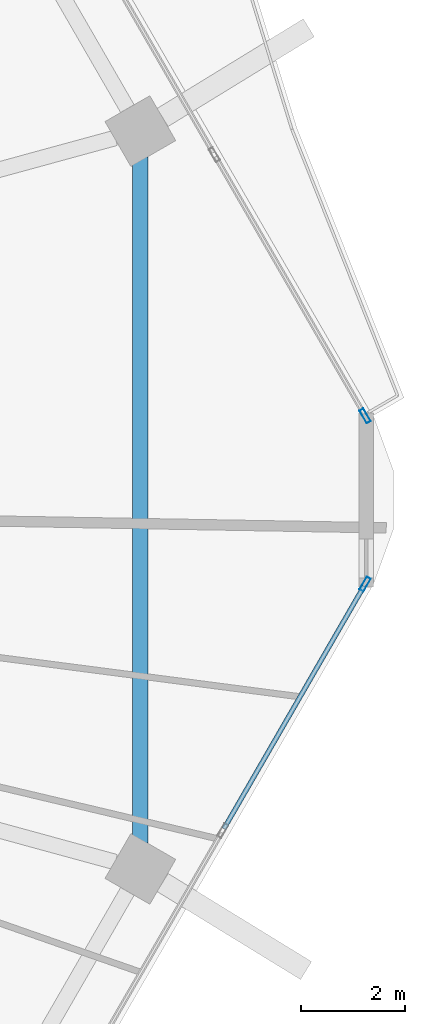
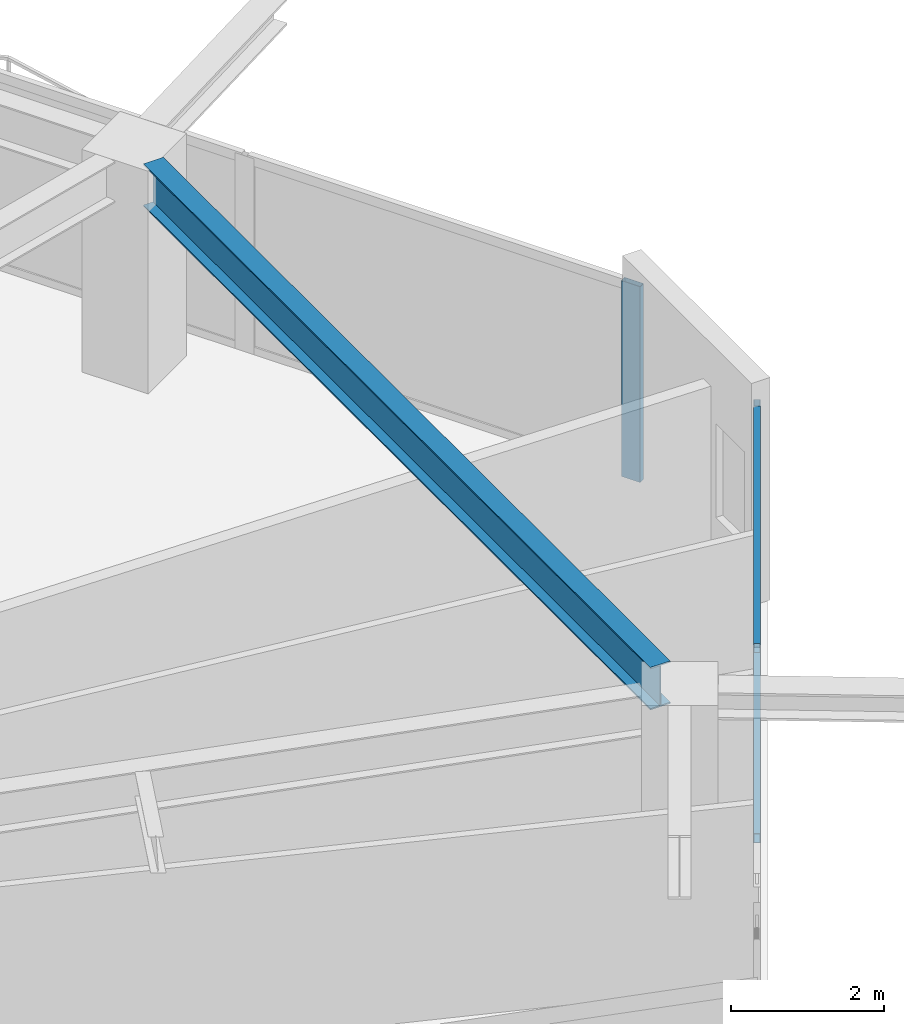
# One storey, part 9 of 25: 4 members, 1 beam, 2 elements without a shape of their own.
"""IFC4 building model written with IfcOpenShell, lengths in metres."""

from ifc_helpers import new_model, si_unit, direction, frame, origin, origin_2d, place, context, subcontext, project, spatial, hollow_rectangle, i_section, extrude, material, material_profile, profile_set, type_object, element, aggregate, save


model = new_model("IFC4")

# Units and contexts
model_context = context("Model", 3, precision=1e-05, world=origin(), true_north=direction((0.0, 1.0)))
body_context = subcontext(model_context, "Body", "Model", "MODEL_VIEW")
ifc_project = project(units=[si_unit("LENGTHUNIT", "METRE"), si_unit("AREAUNIT", "SQUARE_METRE"), si_unit("VOLUMEUNIT", "CUBIC_METRE"), si_unit("PLANEANGLEUNIT", "RADIAN"), si_unit("MASSUNIT", "GRAM", prefix="KILO")], contexts=[model_context])

# Site, building, storey
site_placement = place(None, origin())
site = spatial("IfcSite", under=ifc_project, at=site_placement, CompositionType="ELEMENT")
building_placement = place(site_placement, origin())
building = spatial("IfcBuilding", under=site, at=building_placement, Name="Zuhravey Tower", CompositionType="ELEMENT")
storey_placement = place(building_placement, frame((0.0, 0.0, 180.800048828125)))
storey = spatial("IfcBuildingStorey", under=building, at=storey_placement, Name="L45", CompositionType="ELEMENT", Elevation=180.800048828125)

# Curtain wall, member
ifc_material_1 = material(Name="Thermally broken anodised aluminium", Category="aluminium")
curtain_wall_type = type_object("IfcCurtainWallType", Name="Zone 1-2 Residential Curtain Wall CW3", PredefinedType="NOTDEFINED", material=ifc_material_1)
curtain_wall_1_placement = place(storey_placement, origin())
curtain_wall_1 = element("IfcCurtainWall", 1, at=curtain_wall_1_placement, inside=storey, type_object=curtain_wall_type, Name="L45 CW3 CW-L45-F6-1", PredefinedType="NOTDEFINED")
ifc_material_2 = material(Name="Anodised aluminium", Category="aluminium")
ifc_material_profile_1 = material_profile(ifc_material_2, hollow_rectangle(XDim=0.090087890625, YDim=0.284912109375, WallThickness=0.0048828125, at=origin_2d()), Name="ALU-RHS-90x285x5")
ifc_profile_set_1 = profile_set([ifc_material_profile_1], Name="Anodised aluminium")
member_type_1 = type_object("IfcMemberType", Name="Curtain-Wall Mullion 90x180", PredefinedType="MULLION", material=ifc_profile_set_1)
member_1_placement = place(storey_placement, frame((66.44921875, 30.37353515625, 0.0), z_axis=(0.0, 0.0, 1.0), x_axis=(0.866025138215, -0.500000459979, 0.0)))
member_1 = element("IfcMember", 2, at=member_1_placement, type_object=member_type_1, Name="CW3 mullion 1", PredefinedType="MULLION", context=body_context, shape_type="SweptSolid", body=[
    extrude(hollow_rectangle(XDim=0.090087890625, YDim=0.284912109375, WallThickness=0.0048828125, at=origin_2d()), origin(), (0.0, 0.0, 1.0), 3.1220703125),
])

curtain_wall_2_placement = place(storey_placement, origin())
curtain_wall_2 = element("IfcCurtainWall", 3, at=curtain_wall_2_placement, inside=storey, type_object=curtain_wall_type, Name="L45 CW3 CW-L45-F1-2", PredefinedType="NOTDEFINED")
member_2_placement = place(storey_placement, frame((66.44921875, 33.62646484375, 0.0), z_axis=(0.0, 0.0, 1.0), x_axis=(0.866024798294, 0.500001048738, 0.0)))
member_2 = element("IfcMember", 4, at=member_2_placement, type_object=member_type_1, Name="CW3 mullion 5", PredefinedType="MULLION", context=body_context, shape_type="SweptSolid", body=[
    extrude(hollow_rectangle(XDim=0.090087890625, YDim=0.284912109375, WallThickness=0.0048828125, at=origin_2d()), origin(), (0.0, 0.0, 1.0), 3.1220703125),
])
aggregate(curtain_wall_2, [member_2])

# Member
ifc_material_profile_2 = material_profile(ifc_material_2, hollow_rectangle(XDim=0.090087890625, YDim=0.14990234375, WallThickness=0.0048828125, at=origin_2d()), Name="ALU-RHS-90x150x5")
ifc_profile_set_2 = profile_set([ifc_material_profile_2], Name="Anodised aluminium")
member_type_2 = type_object("IfcMemberType", Name="Curtain-Wall Transom 90x150", PredefinedType="USERDEFINED", material=ifc_profile_set_2)
member_3_placement = place(storey_placement, frame((66.4267578125, 30.33447265625, 0.044921875), z_axis=(-0.499993332629, -0.866029253159, 0.0), x_axis=(0.866029253159, -0.499993332629, 0.0)))
member_3 = element("IfcMember", 5, at=member_3_placement, type_object=member_type_2, Name="CW3 transom 1.1", ObjectType="TRANSOM", PredefinedType="USERDEFINED", context=body_context, shape_type="SweptSolid", body=[
    extrude(hollow_rectangle(XDim=0.090087890625, YDim=0.14990234375, WallThickness=0.0048828125, at=origin_2d()), origin(), (0.0, 0.0, 1.0), 5.4091796875),
])

member_4_placement = place(storey_placement, frame((66.4267578125, 30.33447265625, 3.076904296875), z_axis=(-0.499993332629, -0.866029253159, 0.0), x_axis=(0.866029253159, -0.499993332629, 0.0)))
member_4 = element("IfcMember", 6, at=member_4_placement, type_object=member_type_2, Name="CW3 transom 1.2", ObjectType="TRANSOM", PredefinedType="USERDEFINED", context=body_context, shape_type="SweptSolid", body=[
    extrude(hollow_rectangle(XDim=0.090087890625, YDim=0.14990234375, WallThickness=0.0048828125, at=origin_2d()), origin(), (0.0, 0.0, 1.0), 5.4091796875),
])

aggregate(curtain_wall_1, [member_1, member_3, member_4])

# Beam
ifc_material_3 = material(Name="Steel SM355", Category="steel")
ifc_material_profile_3 = material_profile(ifc_material_3, i_section(OverallWidth=0.300048828125, OverallDepth=0.679931640625, WebThickness=0.012939453125, FlangeThickness=0.02197265625, at=origin_2d()), Name="H-680x300x13x22")
ifc_profile_set_3 = profile_set([ifc_material_profile_3], Name="Steel SM355")
beam_type = type_object("IfcBeamType", Name="Perimeter Ring Beam H680x300", PredefinedType="BEAM", material=ifc_profile_set_3)
beam_placement = place(storey_placement, frame((62.107666015625, 25.37646484375, 3.2099609375), z_axis=(0.0, 1.0, 0.0), x_axis=(-1.0, 0.0, 0.0)))
element("IfcBeam", 7, at=beam_placement, inside=storey, type_object=beam_type, Name="L45 PB2 BM-L45-PB-12", PredefinedType="BEAM", context=body_context, shape_type="SweptSolid", body=[
    extrude(i_section(OverallWidth=0.300048828125, OverallDepth=0.679931640625, WebThickness=0.012939453125, FlangeThickness=0.02197265625, at=origin_2d()), origin(), (0.0, 0.0, 1.0), 13.2470703125),
])

save(model, "model.ifc")
